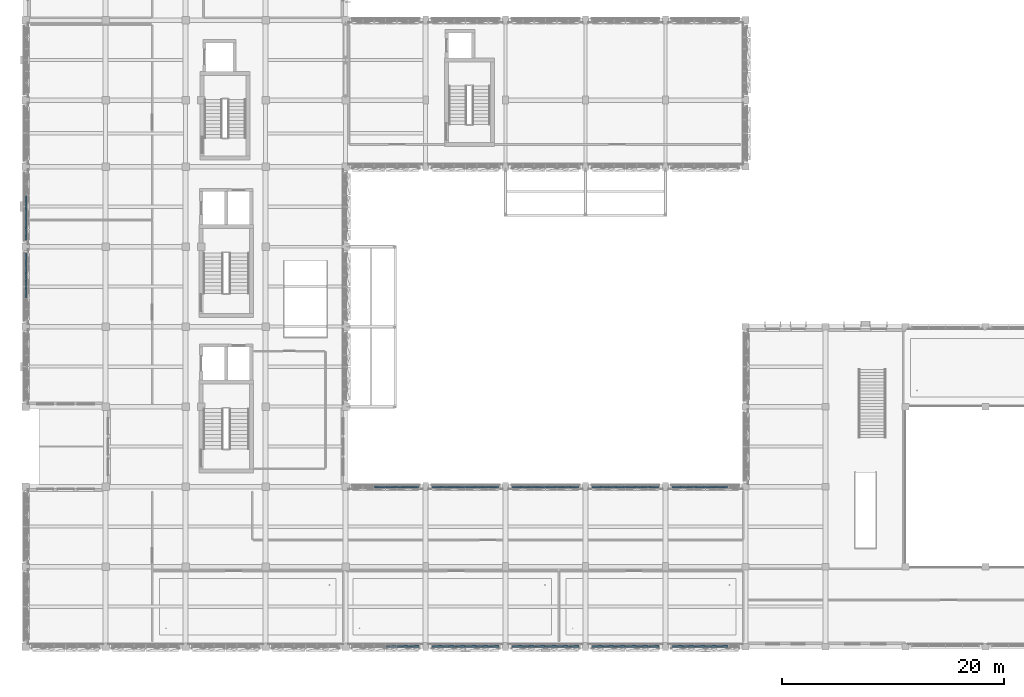
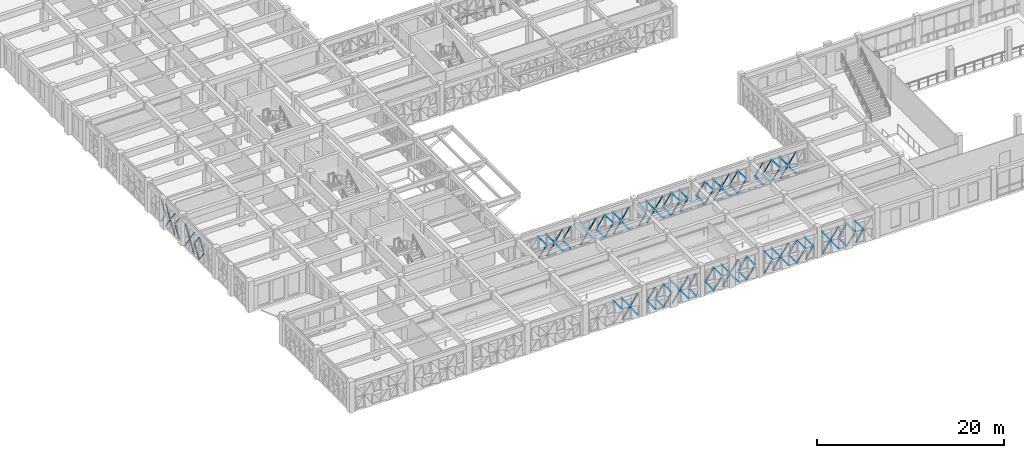
# One storey, part 52 of 88: 121 discrete accessories.
"""IFC4 building model written with IfcOpenShell, lengths in metres."""

from ifc_helpers import new_model, si_unit, direction, frame, origin, origin_2d, place, context, subcontext, project, spatial, rectangle, extrude, material, type_object, element, save


model = new_model("IFC4")

# Units and contexts
model_context = context("Model", 3, precision=1e-05, world=origin(), true_north=direction((0.0, 1.0)))
body_context = subcontext(model_context, "Body", "Model", "MODEL_VIEW")
ifc_project = project(units=[si_unit("LENGTHUNIT", "METRE"), si_unit("AREAUNIT", "SQUARE_METRE"), si_unit("VOLUMEUNIT", "CUBIC_METRE"), si_unit("PLANEANGLEUNIT", "RADIAN"), si_unit("MASSUNIT", "GRAM", prefix="KILO")], contexts=[model_context])

# Site, building, storey
site_placement = place(None, origin())
site = spatial("IfcSite", under=ifc_project, at=site_placement, CompositionType="ELEMENT")
building_placement = place(site_placement, origin())
building = spatial("IfcBuilding", under=site, at=building_placement, Name="Alvorim Cloister Faculty of Sciences", CompositionType="ELEMENT")
storey_placement = place(building_placement, frame((0.0, 0.0, 4.5)))
storey = spatial("IfcBuildingStorey", under=building, at=storey_placement, Name="L01", CompositionType="ELEMENT", Elevation=4.5)

# Discrete accessories
ifc_material = material(Name="Aluminium Alloy 6063-T6", Category="aluminium")
discrete_accessory_type = type_object("IfcDiscreteAccessoryType", Name="ACC-DIAG-BAR", PredefinedType="BRACKET", material=ifc_material)
for number, where, z_axis, x_axis, name in (
    (1, (0.0224609375, 31.41748046875, 1.5048828125), (0.00608926839, 0.574916047252, -0.818189745366), (-0.999943913952, 0.010590984364, 0.0), "Diagonal Cassette Glazing Bracket ACC-00018"),
    (2, (0.0224609375, 31.41748046875, 1.6650390625), (0.00608926839, 0.574916047252, 0.818189745366), (-0.999943913952, 0.010590984364, 0.0), "Diagonal Cassette Glazing Bracket ACC-00019"),
    (3, (0.0224609375, 32.4375, 0.159912109375), (0.00608926839, 0.574916047252, 0.818189745366), (-0.999943913952, 0.010590984364, 0.0), "Diagonal Cassette Glazing Bracket ACC-00020"),
    (4, (0.0224609375, 32.4375, 3.010009765625), (0.00608926839, 0.574916047252, -0.818189745366), (-0.999943913952, 0.010590984364, 0.0), "Diagonal Cassette Glazing Bracket ACC-00021"),
    (5, (0.0224609375, 33.45751953125, 0.159912109375), (0.00608926839, 0.574916047252, 0.818189745366), (-0.999943913952, 0.010590984364, 0.0), "Diagonal Cassette Glazing Bracket ACC-00022"),
    (6, (0.0224609375, 33.45751953125, 3.010009765625), (0.00608926839, 0.574916047252, -0.818189745366), (-0.999943913952, 0.010590984364, 0.0), "Diagonal Cassette Glazing Bracket ACC-00023"),
):
    element("IfcDiscreteAccessory", number, at=place(storey_placement, frame(where, z_axis=z_axis, x_axis=x_axis)), inside=storey, type_object=discrete_accessory_type, Name=name, PredefinedType="BRACKET", context=body_context, shape_type="SweptSolid", body=[
        extrude(rectangle(XDim=0.139892578125, YDim=0.044921875, at=origin_2d()), origin(), (0.0, 0.0, 1.0), 1.643798828125),
    ])
for number, where, z_axis, x_axis, name in (
    (7, (0.0224609375, 34.4775390625, 1.5048828125), (0.006169296436, 0.559299386617, -0.828942782049), (-0.999939170679, 0.011029729889, 0.0), "Diagonal Cassette Glazing Bracket ACC-00024"),
    (8, (0.0224609375, 34.4775390625, 1.6650390625), (0.006169296436, 0.559299386617, 0.828942782049), (-0.999939170679, 0.011029729889, 0.0), "Diagonal Cassette Glazing Bracket ACC-00025"),
    (9, (0.0224609375, 36.614990234375, 0.159912109375), (0.006169296436, 0.559299386617, 0.828942782049), (-0.999939170679, 0.011029729889, 0.0), "Diagonal Cassette Glazing Bracket ACC-00027"),
    (10, (0.0224609375, 36.614990234375, 3.010009765625), (0.006169296436, 0.559299386617, -0.828942782049), (-0.999939170679, 0.011029729889, 0.0), "Diagonal Cassette Glazing Bracket ACC-00028"),
):
    element("IfcDiscreteAccessory", number, at=place(storey_placement, frame(where, z_axis=z_axis, x_axis=x_axis)), inside=storey, type_object=discrete_accessory_type, Name=name, PredefinedType="BRACKET", context=body_context, shape_type="SweptSolid", body=[
        extrude(rectangle(XDim=0.139892578125, YDim=0.044921875, at=origin_2d()), origin(), (0.0, 0.0, 1.0), 1.62255859375),
    ])
for number, where, z_axis, x_axis, name in (
    (11, (0.0224609375, 37.597412109375, 0.159912109375), (0.00608926839, 0.574916047252, 0.818189745366), (-0.999943913952, 0.010590984364, 0.0), "Diagonal Cassette Glazing Bracket ACC-00029"),
    (12, (0.0224609375, 37.597412109375, 3.010009765625), (0.00608926839, 0.574916047252, -0.818189745366), (-0.999943913952, 0.010590984364, 0.0), "Diagonal Cassette Glazing Bracket ACC-00030"),
    (13, (0.0224609375, 38.617431640625, 1.5048828125), (0.00608926839, 0.574916047252, -0.818189745366), (-0.999943913952, 0.010590984364, 0.0), "Diagonal Cassette Glazing Bracket ACC-00031"),
    (14, (0.0224609375, 38.617431640625, 1.6650390625), (0.00608926839, 0.574916047252, 0.818189745366), (-0.999943913952, 0.010590984364, 0.0), "Diagonal Cassette Glazing Bracket ACC-00032"),
    (15, (0.0224609375, 39.637451171875, 1.5048828125), (0.00608926839, 0.574916047252, -0.818189745366), (-0.999943913952, 0.010590984364, 0.0), "Diagonal Cassette Glazing Bracket ACC-00033"),
    (16, (0.0224609375, 39.637451171875, 1.6650390625), (0.00608926839, 0.574916047252, 0.818189745366), (-0.999943913952, 0.010590984364, 0.0), "Diagonal Cassette Glazing Bracket ACC-00034"),
    (17, (31.41748046875, 14.37744140625, 0.159912109375), (0.574916047252, -0.00608926839, 0.818189745366), (0.010590984364, 0.999943913952, 0.0), "Diagonal Cassette Glazing Bracket ACC-00257"),
    (18, (31.41748046875, 14.37744140625, 3.010009765625), (0.574916047252, -0.00608926839, -0.818189745366), (0.010590984364, 0.999943913952, 0.0), "Diagonal Cassette Glazing Bracket ACC-00258"),
    (19, (32.4375, 14.37744140625, 0.159912109375), (0.574916047252, -0.00608926839, 0.818189745366), (0.010590984364, 0.999943913952, 0.0), "Diagonal Cassette Glazing Bracket ACC-00259"),
    (20, (32.4375, 14.37744140625, 3.010009765625), (0.574916047252, -0.00608926839, -0.818189745366), (0.010590984364, 0.999943913952, 0.0), "Diagonal Cassette Glazing Bracket ACC-00260"),
    (21, (33.45751953125, 14.37744140625, 1.5048828125), (0.574916047252, -0.00608926839, -0.818189745366), (0.010590984364, 0.999943913952, 0.0), "Diagonal Cassette Glazing Bracket ACC-00261"),
    (22, (33.45751953125, 14.37744140625, 1.6650390625), (0.574916047252, -0.00608926839, 0.818189745366), (0.010590984364, 0.999943913952, 0.0), "Diagonal Cassette Glazing Bracket ACC-00262"),
):
    element("IfcDiscreteAccessory", number, at=place(storey_placement, frame(where, z_axis=z_axis, x_axis=x_axis)), inside=storey, type_object=discrete_accessory_type, Name=name, PredefinedType="BRACKET", context=body_context, shape_type="SweptSolid", body=[
        extrude(rectangle(XDim=0.139892578125, YDim=0.044921875, at=origin_2d()), origin(), (0.0, 0.0, 1.0), 1.643798828125),
    ])
for number, where, z_axis, x_axis, name in (
    (23, (34.4775390625, 14.37744140625, 1.5048828125), (0.559299386617, -0.006169296436, -0.828942782049), (0.011029729889, 0.999939170679, 0.0), "Diagonal Cassette Glazing Bracket ACC-00263"),
    (24, (34.4775390625, 14.37744140625, 1.6650390625), (0.559299386617, -0.006169296436, 0.828942782049), (0.011029729889, 0.999939170679, 0.0), "Diagonal Cassette Glazing Bracket ACC-00264"),
    (25, (36.614990234375, 14.37744140625, 0.159912109375), (0.559299386617, -0.006169296436, 0.828942782049), (0.011029729889, 0.999939170679, 0.0), "Diagonal Cassette Glazing Bracket ACC-00266"),
    (26, (36.614990234375, 14.37744140625, 3.010009765625), (0.559299386617, -0.006169296436, -0.828942782049), (0.011029729889, 0.999939170679, 0.0), "Diagonal Cassette Glazing Bracket ACC-00267"),
):
    element("IfcDiscreteAccessory", number, at=place(storey_placement, frame(where, z_axis=z_axis, x_axis=x_axis)), inside=storey, type_object=discrete_accessory_type, Name=name, PredefinedType="BRACKET", context=body_context, shape_type="SweptSolid", body=[
        extrude(rectangle(XDim=0.139892578125, YDim=0.044921875, at=origin_2d()), origin(), (0.0, 0.0, 1.0), 1.62255859375),
    ])
for number, where, z_axis, x_axis, name in (
    (27, (37.597412109375, 14.37744140625, 1.5048828125), (0.574916047252, -0.00608926839, -0.818189745366), (0.010590984364, 0.999943913952, 0.0), "Diagonal Cassette Glazing Bracket ACC-00268"),
    (28, (37.597412109375, 14.37744140625, 1.6650390625), (0.574916047252, -0.00608926839, 0.818189745366), (0.010590984364, 0.999943913952, 0.0), "Diagonal Cassette Glazing Bracket ACC-00269"),
    (29, (38.617431640625, 14.37744140625, 1.5048828125), (0.574916047252, -0.00608926839, -0.818189745366), (0.010590984364, 0.999943913952, 0.0), "Diagonal Cassette Glazing Bracket ACC-00270"),
    (30, (38.617431640625, 14.37744140625, 1.6650390625), (0.574916047252, -0.00608926839, 0.818189745366), (0.010590984364, 0.999943913952, 0.0), "Diagonal Cassette Glazing Bracket ACC-00271"),
    (31, (39.637451171875, 14.37744140625, 0.159912109375), (0.574916047252, -0.00608926839, 0.818189745366), (0.010590984364, 0.999943913952, 0.0), "Diagonal Cassette Glazing Bracket ACC-00272"),
    (32, (39.637451171875, 14.37744140625, 3.010009765625), (0.574916047252, -0.00608926839, -0.818189745366), (0.010590984364, 0.999943913952, 0.0), "Diagonal Cassette Glazing Bracket ACC-00273"),
    (33, (40.657470703125, 14.37744140625, 0.159912109375), (0.574916047252, -0.00608926839, 0.818189745366), (0.010590984364, 0.999943913952, 0.0), "Diagonal Cassette Glazing Bracket ACC-00274"),
    (34, (40.657470703125, 14.37744140625, 3.010009765625), (0.574916047252, -0.00608926839, -0.818189745366), (0.010590984364, 0.999943913952, 0.0), "Diagonal Cassette Glazing Bracket ACC-00275"),
):
    element("IfcDiscreteAccessory", number, at=place(storey_placement, frame(where, z_axis=z_axis, x_axis=x_axis)), inside=storey, type_object=discrete_accessory_type, Name=name, PredefinedType="BRACKET", context=body_context, shape_type="SweptSolid", body=[
        extrude(rectangle(XDim=0.139892578125, YDim=0.044921875, at=origin_2d()), origin(), (0.0, 0.0, 1.0), 1.643798828125),
    ])
for number, where, z_axis, x_axis, name in (
    (35, (41.677490234375, 14.37744140625, 1.5048828125), (0.559299386617, -0.006169296436, -0.828942782049), (0.011029729889, 0.999939170679, 0.0), "Diagonal Cassette Glazing Bracket ACC-00276"),
    (36, (41.677490234375, 14.37744140625, 1.6650390625), (0.559299386617, -0.006169296436, 0.828942782049), (0.011029729889, 0.999939170679, 0.0), "Diagonal Cassette Glazing Bracket ACC-00277"),
    (37, (43.81494140625, 14.37744140625, 0.159912109375), (0.559299386617, -0.006169296436, 0.828942782049), (0.011029729889, 0.999939170679, 0.0), "Diagonal Cassette Glazing Bracket ACC-00279"),
    (38, (43.81494140625, 14.37744140625, 3.010009765625), (0.559299386617, -0.006169296436, -0.828942782049), (0.011029729889, 0.999939170679, 0.0), "Diagonal Cassette Glazing Bracket ACC-00280"),
):
    element("IfcDiscreteAccessory", number, at=place(storey_placement, frame(where, z_axis=z_axis, x_axis=x_axis)), inside=storey, type_object=discrete_accessory_type, Name=name, PredefinedType="BRACKET", context=body_context, shape_type="SweptSolid", body=[
        extrude(rectangle(XDim=0.139892578125, YDim=0.044921875, at=origin_2d()), origin(), (0.0, 0.0, 1.0), 1.62255859375),
    ])
for number, where, z_axis, x_axis, name in (
    (39, (44.797607421875, 14.37744140625, 0.159912109375), (0.574816605447, -0.006089788326, 0.818259607081), (0.010593720745, 0.999943884966, 0.0), "Diagonal Cassette Glazing Bracket ACC-00281"),
    (40, (44.797607421875, 14.37744140625, 3.010009765625), (0.574816605447, -0.006089788326, -0.818259607081), (0.010593720745, 0.999943884966, 0.0), "Diagonal Cassette Glazing Bracket ACC-00282"),
    (41, (45.8173828125, 14.37744140625, 1.5048828125), (0.574916047252, -0.00608926839, -0.818189745366), (0.010590984364, 0.999943913952, 0.0), "Diagonal Cassette Glazing Bracket ACC-00283"),
    (42, (45.8173828125, 14.37744140625, 1.6650390625), (0.574916047252, -0.00608926839, 0.818189745366), (0.010590984364, 0.999943913952, 0.0), "Diagonal Cassette Glazing Bracket ACC-00284"),
    (43, (46.83740234375, 14.37744140625, 1.5048828125), (0.574916047252, -0.00608926839, -0.818189745366), (0.010590984364, 0.999943913952, 0.0), "Diagonal Cassette Glazing Bracket ACC-00285"),
    (44, (46.83740234375, 14.37744140625, 1.6650390625), (0.574916047252, -0.00608926839, 0.818189745366), (0.010590984364, 0.999943913952, 0.0), "Diagonal Cassette Glazing Bracket ACC-00286"),
    (45, (47.857421875, 14.37744140625, 0.159912109375), (0.574916047252, -0.00608926839, 0.818189745366), (0.010590984364, 0.999943913952, 0.0), "Diagonal Cassette Glazing Bracket ACC-00287"),
    (46, (47.857421875, 14.37744140625, 3.010009765625), (0.574916047252, -0.00608926839, -0.818189745366), (0.010590984364, 0.999943913952, 0.0), "Diagonal Cassette Glazing Bracket ACC-00288"),
):
    element("IfcDiscreteAccessory", number, at=place(storey_placement, frame(where, z_axis=z_axis, x_axis=x_axis)), inside=storey, type_object=discrete_accessory_type, Name=name, PredefinedType="BRACKET", context=body_context, shape_type="SweptSolid", body=[
        extrude(rectangle(XDim=0.139892578125, YDim=0.044921875, at=origin_2d()), origin(), (0.0, 0.0, 1.0), 1.643798828125),
    ])
for number, where, z_axis, x_axis, name in (
    (47, (48.87744140625, 14.37744140625, 0.159912109375), (0.559299386617, -0.006169296436, 0.828942782049), (0.011029729889, 0.999939170679, 0.0), "Diagonal Cassette Glazing Bracket ACC-00289"),
    (48, (48.87744140625, 14.37744140625, 3.010009765625), (0.559299386617, -0.006169296436, -0.828942782049), (0.011029729889, 0.999939170679, 0.0), "Diagonal Cassette Glazing Bracket ACC-00290"),
    (49, (51.014892578125, 14.37744140625, 1.5048828125), (0.559402774614, -0.006168777235, -0.82887301919), (0.011026763674, 0.999939203393, 0.0), "Diagonal Cassette Glazing Bracket ACC-00292"),
    (50, (51.014892578125, 14.37744140625, 1.6650390625), (0.559402774614, -0.006168777235, 0.82887301919), (0.011026763674, 0.999939203393, 0.0), "Diagonal Cassette Glazing Bracket ACC-00293"),
):
    element("IfcDiscreteAccessory", number, at=place(storey_placement, frame(where, z_axis=z_axis, x_axis=x_axis)), inside=storey, type_object=discrete_accessory_type, Name=name, PredefinedType="BRACKET", context=body_context, shape_type="SweptSolid", body=[
        extrude(rectangle(XDim=0.139892578125, YDim=0.044921875, at=origin_2d()), origin(), (0.0, 0.0, 1.0), 1.62255859375),
    ])
for number, where, z_axis, x_axis, name in (
    (51, (51.99755859375, 14.37744140625, 0.159912109375), (0.574816605447, -0.006089788326, 0.818259607081), (0.010593720745, 0.999943884966, 0.0), "Diagonal Cassette Glazing Bracket ACC-00294"),
    (52, (51.99755859375, 14.37744140625, 3.010009765625), (0.574816605447, -0.006089788326, -0.818259607081), (0.010593720745, 0.999943884966, 0.0), "Diagonal Cassette Glazing Bracket ACC-00295"),
    (53, (53.017578125, 14.37744140625, 0.159912109375), (0.574816605447, -0.006089788326, 0.818259607081), (0.010593720745, 0.999943884966, 0.0), "Diagonal Cassette Glazing Bracket ACC-00296"),
    (54, (53.017578125, 14.37744140625, 3.010009765625), (0.574816605447, -0.006089788326, -0.818259607081), (0.010593720745, 0.999943884966, 0.0), "Diagonal Cassette Glazing Bracket ACC-00297"),
    (55, (54.03759765625, 14.37744140625, 1.5048828125), (0.574816605447, -0.006089788326, -0.818259607081), (0.010593720745, 0.999943884966, 0.0), "Diagonal Cassette Glazing Bracket ACC-00298"),
    (56, (54.03759765625, 14.37744140625, 1.6650390625), (0.574816605447, -0.006089788326, 0.818259607081), (0.010593720745, 0.999943884966, 0.0), "Diagonal Cassette Glazing Bracket ACC-00299"),
    (57, (55.0576171875, 14.37744140625, 1.5048828125), (0.574816605447, -0.006089788326, -0.818259607081), (0.010593720745, 0.999943884966, 0.0), "Diagonal Cassette Glazing Bracket ACC-00300"),
    (58, (55.0576171875, 14.37744140625, 1.6650390625), (0.574816605447, -0.006089788326, 0.818259607081), (0.010593720745, 0.999943884966, 0.0), "Diagonal Cassette Glazing Bracket ACC-00301"),
):
    element("IfcDiscreteAccessory", number, at=place(storey_placement, frame(where, z_axis=z_axis, x_axis=x_axis)), inside=storey, type_object=discrete_accessory_type, Name=name, PredefinedType="BRACKET", context=body_context, shape_type="SweptSolid", body=[
        extrude(rectangle(XDim=0.139892578125, YDim=0.044921875, at=origin_2d()), origin(), (0.0, 0.0, 1.0), 1.643798828125),
    ])
for number, where, z_axis, x_axis, name in (
    (59, (56.077392578125, 14.37744140625, 0.159912109375), (0.559402774614, -0.006168777235, 0.82887301919), (0.011026763674, 0.999939203393, 0.0), "Diagonal Cassette Glazing Bracket ACC-00302"),
    (60, (56.077392578125, 14.37744140625, 3.010009765625), (0.559402774614, -0.006168777235, -0.82887301919), (0.011026763674, 0.999939203393, 0.0), "Diagonal Cassette Glazing Bracket ACC-00303"),
    (61, (58.215087890625, 14.37744140625, 1.5048828125), (0.559299386617, -0.006169296436, -0.828942782049), (0.011029729889, 0.999939170679, 0.0), "Diagonal Cassette Glazing Bracket ACC-00305"),
    (62, (58.215087890625, 14.37744140625, 1.6650390625), (0.559299386617, -0.006169296436, 0.828942782049), (0.011029729889, 0.999939170679, 0.0), "Diagonal Cassette Glazing Bracket ACC-00306"),
):
    element("IfcDiscreteAccessory", number, at=place(storey_placement, frame(where, z_axis=z_axis, x_axis=x_axis)), inside=storey, type_object=discrete_accessory_type, Name=name, PredefinedType="BRACKET", context=body_context, shape_type="SweptSolid", body=[
        extrude(rectangle(XDim=0.139892578125, YDim=0.044921875, at=origin_2d()), origin(), (0.0, 0.0, 1.0), 1.62255859375),
    ])
for number, where, z_axis, x_axis, name in (
    (63, (59.197509765625, 14.37744140625, 1.5048828125), (0.574916047252, -0.00608926839, -0.818189745366), (0.010590984364, 0.999943913952, 0.0), "Diagonal Cassette Glazing Bracket ACC-00307"),
    (64, (59.197509765625, 14.37744140625, 1.6650390625), (0.574916047252, -0.00608926839, 0.818189745366), (0.010590984364, 0.999943913952, 0.0), "Diagonal Cassette Glazing Bracket ACC-00308"),
    (65, (60.217529296875, 14.37744140625, 0.159912109375), (0.574916047252, -0.00608926839, 0.818189745366), (0.010590984364, 0.999943913952, 0.0), "Diagonal Cassette Glazing Bracket ACC-00309"),
    (66, (60.217529296875, 14.37744140625, 3.010009765625), (0.574916047252, -0.00608926839, -0.818189745366), (0.010590984364, 0.999943913952, 0.0), "Diagonal Cassette Glazing Bracket ACC-00310"),
    (67, (61.237548828125, 14.37744140625, 0.159912109375), (0.574916047252, -0.00608926839, 0.818189745366), (0.010590984364, 0.999943913952, 0.0), "Diagonal Cassette Glazing Bracket ACC-00311"),
    (68, (61.237548828125, 14.37744140625, 3.010009765625), (0.574916047252, -0.00608926839, -0.818189745366), (0.010590984364, 0.999943913952, 0.0), "Diagonal Cassette Glazing Bracket ACC-00312"),
    (69, (62.257568359375, 14.37744140625, 1.5048828125), (0.574816605447, -0.006089788326, -0.818259607081), (0.010593720745, 0.999943884966, 0.0), "Diagonal Cassette Glazing Bracket ACC-00313"),
    (70, (62.257568359375, 14.37744140625, 1.6650390625), (0.574816605447, -0.006089788326, 0.818259607081), (0.010593720745, 0.999943884966, 0.0), "Diagonal Cassette Glazing Bracket ACC-00314"),
):
    element("IfcDiscreteAccessory", number, at=place(storey_placement, frame(where, z_axis=z_axis, x_axis=x_axis)), inside=storey, type_object=discrete_accessory_type, Name=name, PredefinedType="BRACKET", context=body_context, shape_type="SweptSolid", body=[
        extrude(rectangle(XDim=0.139892578125, YDim=0.044921875, at=origin_2d()), origin(), (0.0, 0.0, 1.0), 1.643798828125),
    ])
for number, where, z_axis, x_axis, name in (
    (71, (58.215087890625, 0.0224609375, 0.159912109375), (0.559299386617, 0.006169296436, 0.828942782049), (-0.011029729889, 0.999939170679, 0.0), "Diagonal Cassette Glazing Bracket ACC-00344"),
    (72, (58.215087890625, 0.0224609375, 3.010009765625), (0.559299386617, 0.006169296436, -0.828942782049), (-0.011029729889, 0.999939170679, 0.0), "Diagonal Cassette Glazing Bracket ACC-00345"),
):
    element("IfcDiscreteAccessory", number, at=place(storey_placement, frame(where, z_axis=z_axis, x_axis=x_axis)), inside=storey, type_object=discrete_accessory_type, Name=name, PredefinedType="BRACKET", context=body_context, shape_type="SweptSolid", body=[
        extrude(rectangle(XDim=0.139892578125, YDim=0.044921875, at=origin_2d()), origin(), (0.0, 0.0, 1.0), 1.62255859375),
    ])
for number, where, z_axis, x_axis, name in (
    (73, (59.197509765625, 0.0224609375, 1.5048828125), (0.574916047252, 0.00608926839, -0.818189745366), (-0.010590984364, 0.999943913952, 0.0), "Diagonal Cassette Glazing Bracket ACC-00346"),
    (74, (59.197509765625, 0.0224609375, 1.6650390625), (0.574916047252, 0.00608926839, 0.818189745366), (-0.010590984364, 0.999943913952, 0.0), "Diagonal Cassette Glazing Bracket ACC-00347"),
    (75, (60.217529296875, 0.0224609375, 1.5048828125), (0.574916047252, 0.00608926839, -0.818189745366), (-0.010590984364, 0.999943913952, 0.0), "Diagonal Cassette Glazing Bracket ACC-00348"),
    (76, (60.217529296875, 0.0224609375, 1.6650390625), (0.574916047252, 0.00608926839, 0.818189745366), (-0.010590984364, 0.999943913952, 0.0), "Diagonal Cassette Glazing Bracket ACC-00349"),
    (77, (61.237548828125, 0.0224609375, 0.159912109375), (0.574916047252, 0.00608926839, 0.818189745366), (-0.010590984364, 0.999943913952, 0.0), "Diagonal Cassette Glazing Bracket ACC-00350"),
    (78, (61.237548828125, 0.0224609375, 3.010009765625), (0.574916047252, 0.00608926839, -0.818189745366), (-0.010590984364, 0.999943913952, 0.0), "Diagonal Cassette Glazing Bracket ACC-00351"),
    (79, (62.257568359375, 0.0224609375, 0.159912109375), (0.574816605447, 0.006089788326, 0.818259607081), (-0.010593720745, 0.999943884966, 0.0), "Diagonal Cassette Glazing Bracket ACC-00352"),
    (80, (62.257568359375, 0.0224609375, 3.010009765625), (0.574816605447, 0.006089788326, -0.818259607081), (-0.010593720745, 0.999943884966, 0.0), "Diagonal Cassette Glazing Bracket ACC-00353"),
):
    element("IfcDiscreteAccessory", number, at=place(storey_placement, frame(where, z_axis=z_axis, x_axis=x_axis)), inside=storey, type_object=discrete_accessory_type, Name=name, PredefinedType="BRACKET", context=body_context, shape_type="SweptSolid", body=[
        extrude(rectangle(XDim=0.139892578125, YDim=0.044921875, at=origin_2d()), origin(), (0.0, 0.0, 1.0), 1.643798828125),
    ])
for number, where, z_axis, x_axis, name in (
    (81, (51.014892578125, 0.0224609375, 0.159912109375), (0.559402774614, 0.006168777235, 0.82887301919), (-0.011026763674, 0.999939203393, 0.0), "Diagonal Cassette Glazing Bracket ACC-00357"),
    (82, (51.014892578125, 0.0224609375, 3.010009765625), (0.559402774614, 0.006168777235, -0.82887301919), (-0.011026763674, 0.999939203393, 0.0), "Diagonal Cassette Glazing Bracket ACC-00358"),
):
    element("IfcDiscreteAccessory", number, at=place(storey_placement, frame(where, z_axis=z_axis, x_axis=x_axis)), inside=storey, type_object=discrete_accessory_type, Name=name, PredefinedType="BRACKET", context=body_context, shape_type="SweptSolid", body=[
        extrude(rectangle(XDim=0.139892578125, YDim=0.044921875, at=origin_2d()), origin(), (0.0, 0.0, 1.0), 1.62255859375),
    ])
for number, where, z_axis, x_axis, name in (
    (83, (51.99755859375, 0.0224609375, 0.159912109375), (0.574816605447, 0.006089788326, 0.818259607081), (-0.010593720745, 0.999943884966, 0.0), "Diagonal Cassette Glazing Bracket ACC-00359"),
    (84, (51.99755859375, 0.0224609375, 3.010009765625), (0.574816605447, 0.006089788326, -0.818259607081), (-0.010593720745, 0.999943884966, 0.0), "Diagonal Cassette Glazing Bracket ACC-00360"),
    (85, (53.017578125, 0.0224609375, 1.5048828125), (0.574816605447, 0.006089788326, -0.818259607081), (-0.010593720745, 0.999943884966, 0.0), "Diagonal Cassette Glazing Bracket ACC-00361"),
    (86, (53.017578125, 0.0224609375, 1.6650390625), (0.574816605447, 0.006089788326, 0.818259607081), (-0.010593720745, 0.999943884966, 0.0), "Diagonal Cassette Glazing Bracket ACC-00362"),
    (87, (54.03759765625, 0.0224609375, 1.5048828125), (0.574816605447, 0.006089788326, -0.818259607081), (-0.010593720745, 0.999943884966, 0.0), "Diagonal Cassette Glazing Bracket ACC-00363"),
    (88, (54.03759765625, 0.0224609375, 1.6650390625), (0.574816605447, 0.006089788326, 0.818259607081), (-0.010593720745, 0.999943884966, 0.0), "Diagonal Cassette Glazing Bracket ACC-00364"),
    (89, (55.0576171875, 0.0224609375, 0.159912109375), (0.574816605447, 0.006089788326, 0.818259607081), (-0.010593720745, 0.999943884966, 0.0), "Diagonal Cassette Glazing Bracket ACC-00365"),
    (90, (55.0576171875, 0.0224609375, 3.010009765625), (0.574816605447, 0.006089788326, -0.818259607081), (-0.010593720745, 0.999943884966, 0.0), "Diagonal Cassette Glazing Bracket ACC-00366"),
):
    element("IfcDiscreteAccessory", number, at=place(storey_placement, frame(where, z_axis=z_axis, x_axis=x_axis)), inside=storey, type_object=discrete_accessory_type, Name=name, PredefinedType="BRACKET", context=body_context, shape_type="SweptSolid", body=[
        extrude(rectangle(XDim=0.139892578125, YDim=0.044921875, at=origin_2d()), origin(), (0.0, 0.0, 1.0), 1.643798828125),
    ])
for number, where, z_axis, x_axis, name in (
    (91, (56.077392578125, 0.0224609375, 0.159912109375), (0.559402774614, 0.006168777235, 0.82887301919), (-0.011026763674, 0.999939203393, 0.0), "Diagonal Cassette Glazing Bracket ACC-00367"),
    (92, (56.077392578125, 0.0224609375, 3.010009765625), (0.559402774614, 0.006168777235, -0.82887301919), (-0.011026763674, 0.999939203393, 0.0), "Diagonal Cassette Glazing Bracket ACC-00368"),
    (93, (43.81494140625, 0.0224609375, 1.5048828125), (0.559299386617, 0.006169296436, -0.828942782049), (-0.011029729889, 0.999939170679, 0.0), "Diagonal Cassette Glazing Bracket ACC-00370"),
    (94, (43.81494140625, 0.0224609375, 1.6650390625), (0.559299386617, 0.006169296436, 0.828942782049), (-0.011029729889, 0.999939170679, 0.0), "Diagonal Cassette Glazing Bracket ACC-00371"),
):
    element("IfcDiscreteAccessory", number, at=place(storey_placement, frame(where, z_axis=z_axis, x_axis=x_axis)), inside=storey, type_object=discrete_accessory_type, Name=name, PredefinedType="BRACKET", context=body_context, shape_type="SweptSolid", body=[
        extrude(rectangle(XDim=0.139892578125, YDim=0.044921875, at=origin_2d()), origin(), (0.0, 0.0, 1.0), 1.62255859375),
    ])
for number, where, z_axis, x_axis, name in (
    (95, (44.797607421875, 0.0224609375, 0.159912109375), (0.574816605447, 0.006089788326, 0.818259607081), (-0.010593720745, 0.999943884966, 0.0), "Diagonal Cassette Glazing Bracket ACC-00372"),
    (96, (44.797607421875, 0.0224609375, 3.010009765625), (0.574816605447, 0.006089788326, -0.818259607081), (-0.010593720745, 0.999943884966, 0.0), "Diagonal Cassette Glazing Bracket ACC-00373"),
    (97, (45.8173828125, 0.0224609375, 0.159912109375), (0.574916047252, 0.00608926839, 0.818189745366), (-0.010590984364, 0.999943913952, 0.0), "Diagonal Cassette Glazing Bracket ACC-00374"),
    (98, (45.8173828125, 0.0224609375, 3.010009765625), (0.574916047252, 0.00608926839, -0.818189745366), (-0.010590984364, 0.999943913952, 0.0), "Diagonal Cassette Glazing Bracket ACC-00375"),
    (99, (46.83740234375, 0.0224609375, 1.5048828125), (0.574916047252, 0.00608926839, -0.818189745366), (-0.010590984364, 0.999943913952, 0.0), "Diagonal Cassette Glazing Bracket ACC-00376"),
    (100, (46.83740234375, 0.0224609375, 1.6650390625), (0.574916047252, 0.00608926839, 0.818189745366), (-0.010590984364, 0.999943913952, 0.0), "Diagonal Cassette Glazing Bracket ACC-00377"),
    (101, (47.857421875, 0.0224609375, 1.5048828125), (0.574916047252, 0.00608926839, -0.818189745366), (-0.010590984364, 0.999943913952, 0.0), "Diagonal Cassette Glazing Bracket ACC-00378"),
    (102, (47.857421875, 0.0224609375, 1.6650390625), (0.574916047252, 0.00608926839, 0.818189745366), (-0.010590984364, 0.999943913952, 0.0), "Diagonal Cassette Glazing Bracket ACC-00379"),
):
    element("IfcDiscreteAccessory", number, at=place(storey_placement, frame(where, z_axis=z_axis, x_axis=x_axis)), inside=storey, type_object=discrete_accessory_type, Name=name, PredefinedType="BRACKET", context=body_context, shape_type="SweptSolid", body=[
        extrude(rectangle(XDim=0.139892578125, YDim=0.044921875, at=origin_2d()), origin(), (0.0, 0.0, 1.0), 1.643798828125),
    ])
for number, where, z_axis, x_axis, name in (
    (103, (48.87744140625, 0.0224609375, 0.159912109375), (0.559299386617, 0.006169296436, 0.828942782049), (-0.011029729889, 0.999939170679, 0.0), "Diagonal Cassette Glazing Bracket ACC-00380"),
    (104, (48.87744140625, 0.0224609375, 3.010009765625), (0.559299386617, 0.006169296436, -0.828942782049), (-0.011029729889, 0.999939170679, 0.0), "Diagonal Cassette Glazing Bracket ACC-00381"),
    (105, (36.614990234375, 0.0224609375, 1.5048828125), (0.559299386617, 0.006169296436, -0.828942782049), (-0.011029729889, 0.999939170679, 0.0), "Diagonal Cassette Glazing Bracket ACC-00383"),
    (106, (36.614990234375, 0.0224609375, 1.6650390625), (0.559299386617, 0.006169296436, 0.828942782049), (-0.011029729889, 0.999939170679, 0.0), "Diagonal Cassette Glazing Bracket ACC-00384"),
):
    element("IfcDiscreteAccessory", number, at=place(storey_placement, frame(where, z_axis=z_axis, x_axis=x_axis)), inside=storey, type_object=discrete_accessory_type, Name=name, PredefinedType="BRACKET", context=body_context, shape_type="SweptSolid", body=[
        extrude(rectangle(XDim=0.139892578125, YDim=0.044921875, at=origin_2d()), origin(), (0.0, 0.0, 1.0), 1.62255859375),
    ])
for number, where, z_axis, x_axis, name in (
    (107, (37.597412109375, 0.0224609375, 1.5048828125), (0.574916047252, 0.00608926839, -0.818189745366), (-0.010590984364, 0.999943913952, 0.0), "Diagonal Cassette Glazing Bracket ACC-00385"),
    (108, (37.597412109375, 0.0224609375, 1.6650390625), (0.574916047252, 0.00608926839, 0.818189745366), (-0.010590984364, 0.999943913952, 0.0), "Diagonal Cassette Glazing Bracket ACC-00386"),
    (109, (38.617431640625, 0.0224609375, 0.159912109375), (0.574916047252, 0.00608926839, 0.818189745366), (-0.010590984364, 0.999943913952, 0.0), "Diagonal Cassette Glazing Bracket ACC-00387"),
    (110, (38.617431640625, 0.0224609375, 3.010009765625), (0.574916047252, 0.00608926839, -0.818189745366), (-0.010590984364, 0.999943913952, 0.0), "Diagonal Cassette Glazing Bracket ACC-00388"),
    (111, (39.637451171875, 0.0224609375, 0.159912109375), (0.574916047252, 0.00608926839, 0.818189745366), (-0.010590984364, 0.999943913952, 0.0), "Diagonal Cassette Glazing Bracket ACC-00389"),
    (112, (39.637451171875, 0.0224609375, 3.010009765625), (0.574916047252, 0.00608926839, -0.818189745366), (-0.010590984364, 0.999943913952, 0.0), "Diagonal Cassette Glazing Bracket ACC-00390"),
    (113, (40.657470703125, 0.0224609375, 1.5048828125), (0.574916047252, 0.00608926839, -0.818189745366), (-0.010590984364, 0.999943913952, 0.0), "Diagonal Cassette Glazing Bracket ACC-00391"),
    (114, (40.657470703125, 0.0224609375, 1.6650390625), (0.574916047252, 0.00608926839, 0.818189745366), (-0.010590984364, 0.999943913952, 0.0), "Diagonal Cassette Glazing Bracket ACC-00392"),
):
    element("IfcDiscreteAccessory", number, at=place(storey_placement, frame(where, z_axis=z_axis, x_axis=x_axis)), inside=storey, type_object=discrete_accessory_type, Name=name, PredefinedType="BRACKET", context=body_context, shape_type="SweptSolid", body=[
        extrude(rectangle(XDim=0.139892578125, YDim=0.044921875, at=origin_2d()), origin(), (0.0, 0.0, 1.0), 1.643798828125),
    ])
for number, where, z_axis, x_axis, name in (
    (115, (41.677490234375, 0.0224609375, 1.5048828125), (0.559299386617, 0.006169296436, -0.828942782049), (-0.011029729889, 0.999939170679, 0.0), "Diagonal Cassette Glazing Bracket ACC-00393"),
    (116, (41.677490234375, 0.0224609375, 1.6650390625), (0.559299386617, 0.006169296436, 0.828942782049), (-0.011029729889, 0.999939170679, 0.0), "Diagonal Cassette Glazing Bracket ACC-00394"),
):
    element("IfcDiscreteAccessory", number, at=place(storey_placement, frame(where, z_axis=z_axis, x_axis=x_axis)), inside=storey, type_object=discrete_accessory_type, Name=name, PredefinedType="BRACKET", context=body_context, shape_type="SweptSolid", body=[
        extrude(rectangle(XDim=0.139892578125, YDim=0.044921875, at=origin_2d()), origin(), (0.0, 0.0, 1.0), 1.62255859375),
    ])
for number, where, z_axis, x_axis, name in (
    (117, (32.4375, 0.0224609375, 3.010009765625), (0.574916047252, 0.00608926839, -0.818189745366), (-0.010590984364, 0.999943913952, 0.0), "Diagonal Cassette Glazing Bracket ACC-00403"),
    (118, (33.45751953125, 0.0224609375, 0.159912109375), (0.574916047252, 0.00608926839, 0.818189745366), (-0.010590984364, 0.999943913952, 0.0), "Diagonal Cassette Glazing Bracket ACC-00404"),
    (119, (33.45751953125, 0.0224609375, 3.010009765625), (0.574916047252, 0.00608926839, -0.818189745366), (-0.010590984364, 0.999943913952, 0.0), "Diagonal Cassette Glazing Bracket ACC-00405"),
):
    element("IfcDiscreteAccessory", number, at=place(storey_placement, frame(where, z_axis=z_axis, x_axis=x_axis)), inside=storey, type_object=discrete_accessory_type, Name=name, PredefinedType="BRACKET", context=body_context, shape_type="SweptSolid", body=[
        extrude(rectangle(XDim=0.139892578125, YDim=0.044921875, at=origin_2d()), origin(), (0.0, 0.0, 1.0), 1.643798828125),
    ])
for number, where, z_axis, x_axis, name in (
    (120, (34.4775390625, 0.0224609375, 1.5048828125), (0.559299386617, 0.006169296436, -0.828942782049), (-0.011029729889, 0.999939170679, 0.0), "Diagonal Cassette Glazing Bracket ACC-00406"),
    (121, (34.4775390625, 0.0224609375, 1.6650390625), (0.559299386617, 0.006169296436, 0.828942782049), (-0.011029729889, 0.999939170679, 0.0), "Diagonal Cassette Glazing Bracket ACC-00407"),
):
    element("IfcDiscreteAccessory", number, at=place(storey_placement, frame(where, z_axis=z_axis, x_axis=x_axis)), inside=storey, type_object=discrete_accessory_type, Name=name, PredefinedType="BRACKET", context=body_context, shape_type="SweptSolid", body=[
        extrude(rectangle(XDim=0.139892578125, YDim=0.044921875, at=origin_2d()), origin(), (0.0, 0.0, 1.0), 1.62255859375),
    ])

save(model, "model.ifc")
